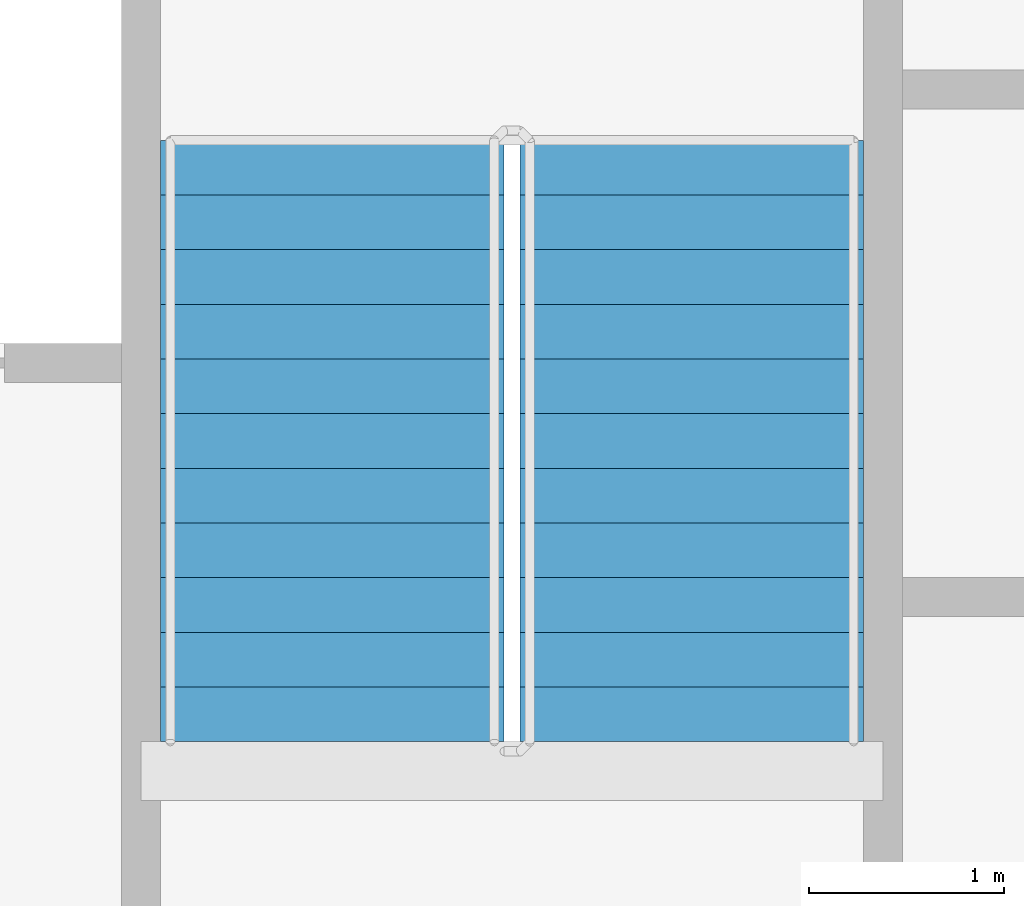
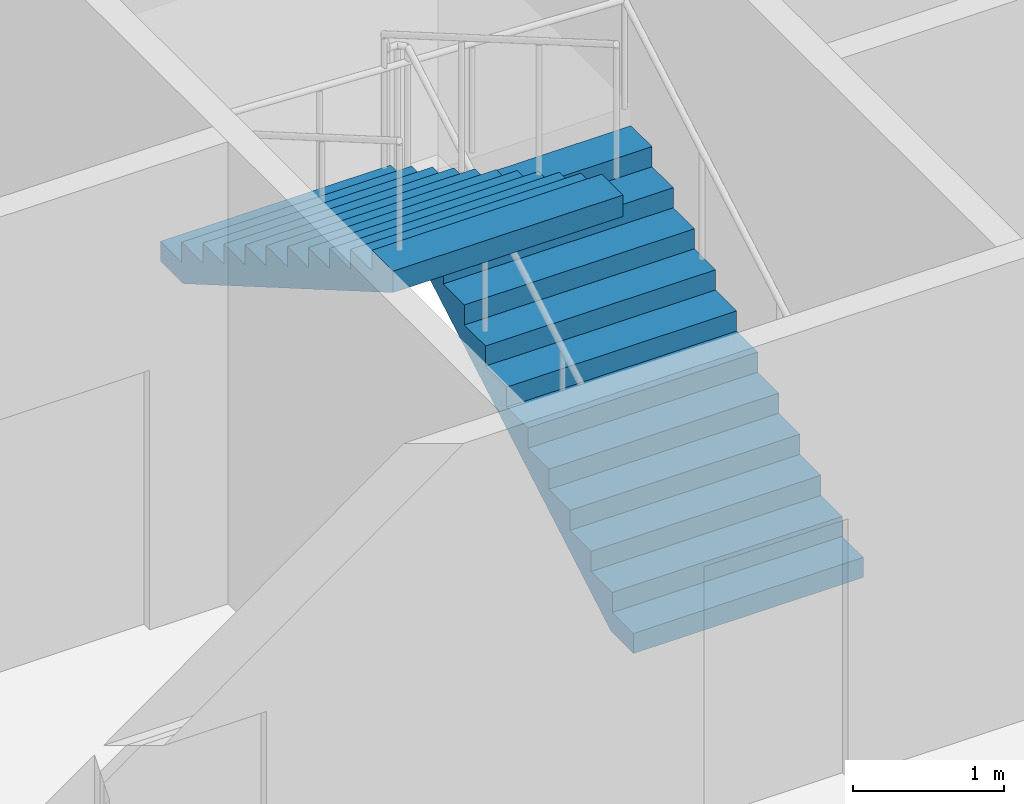
# One storey, part 9 of 14: 2 stair flights, 1 element without a shape of its own.
"""IFC4 building model written with IfcOpenShell, lengths in metres."""

from ifc_helpers import new_model, si_unit, direction, frame, origin, place, context, subcontext, project, spatial, faceted_brep, material, type_object, element, aggregate, save


model = new_model("IFC4")

# Units and contexts
model_context = context("Model", 3, precision=1e-05, world=origin(), true_north=direction((0.0, 1.0)))
body_context = subcontext(model_context, "Body", "Model", "MODEL_VIEW")
ifc_project = project(units=[si_unit("LENGTHUNIT", "METRE"), si_unit("AREAUNIT", "SQUARE_METRE"), si_unit("VOLUMEUNIT", "CUBIC_METRE"), si_unit("PLANEANGLEUNIT", "RADIAN"), si_unit("MASSUNIT", "GRAM", prefix="KILO")], contexts=[model_context])

# Site, building, storey
site_placement = place(None, origin())
site = spatial("IfcSite", under=ifc_project, at=site_placement, CompositionType="ELEMENT")
building_placement = place(site_placement, origin())
building = spatial("IfcBuilding", under=site, at=building_placement, Name="Tarsis Ring Headquarters", CompositionType="ELEMENT")
storey_placement = place(building_placement, frame((0.0, 0.0, 235.5)))
storey = spatial("IfcBuildingStorey", under=building, at=storey_placement, Name="L55", CompositionType="ELEMENT", Elevation=235.5)

# Stair, stair flights
ifc_material_1 = material(Name="Core stair 1760")
stair_type = type_object("IfcStairType", Name="Core stair 1760", PredefinedType="HALF_TURN_STAIR", material=ifc_material_1)
stair_placement = place(storey_placement, origin())
stair = element("IfcStair", 1, at=stair_placement, inside=storey, type_object=stair_type, Name="L55 Exit stair B", PredefinedType="HALF_TURN_STAIR")
ifc_material_2 = material(Name="Concrete C40/50", Category="concrete")
stair_flight_type = type_object("IfcStairFlightType", Name="Core stair flight 1760", PredefinedType="STRAIGHT", material=ifc_material_2)
stair_flight_1_placement = place(storey_placement, frame((5.419921875, 3.659912109375, 0.0), z_axis=(0.0, 0.0, 1.0), x_axis=(0.0, 1.0, 0.0)))
stair_flight_1 = element("IfcStairFlight", 2, at=stair_flight_1_placement, type_object=stair_flight_type, Name="Stair ST2 flight 1", NumberOfRisers=12, NumberOfTreads=11, PredefinedType="STRAIGHT", RiserHeight=0.1625, TreadLength=0.28, context=body_context, shape_type="Brep", body=[
    faceted_brep([(0.0, 0.8798828125, 0.0), (0.0, 0.8798828125, 0.16259765625), (0.280029296875, 0.8798828125, 0.16259765625), (0.280029296875, 0.8798828125, 0.324951171875), (0.56005859375, 0.8798828125, 0.324951171875), (0.56005859375, 0.8798828125, 0.487548828125), (0.840087890625, 0.8798828125, 0.487548828125), (0.840087890625, 0.8798828125, 0.64990234375), (1.1201171875, 0.8798828125, 0.64990234375), (1.1201171875, 0.8798828125, 0.8125), (1.39990234375, 0.8798828125, 0.8125), (1.39990234375, 0.8798828125, 0.97509765625), (1.679931640625, 0.8798828125, 0.97509765625), (1.679931640625, 0.8798828125, 1.137451171875), (1.9599609375, 0.8798828125, 1.137451171875), (1.9599609375, 0.8798828125, 1.300048828125), (2.239990234375, 0.8798828125, 1.300048828125), (2.239990234375, 0.8798828125, 1.46240234375), (2.52001953125, 0.8798828125, 1.46240234375), (2.52001953125, 0.8798828125, 1.625), (2.800048828125, 0.8798828125, 1.625), (2.800048828125, 0.8798828125, 1.78759765625), (3.080078125, 0.8798828125, 1.78759765625), (3.080078125, 0.8798828125, 1.6142578125), (0.298583984375, 0.8798828125, 0.0), (0.298583984375, -0.8798828125, 0.0), (3.080078125, -0.8798828125, 1.6142578125), (3.080078125, -0.8798828125, 1.78759765625), (2.800048828125, -0.8798828125, 1.78759765625), (2.800048828125, -0.8798828125, 1.625), (2.52001953125, -0.8798828125, 1.625), (2.52001953125, -0.8798828125, 1.46240234375), (2.239990234375, -0.8798828125, 1.46240234375), (2.239990234375, -0.8798828125, 1.300048828125), (1.9599609375, -0.8798828125, 1.300048828125), (1.9599609375, -0.8798828125, 1.137451171875), (1.679931640625, -0.8798828125, 1.137451171875), (1.679931640625, -0.8798828125, 0.97509765625), (1.39990234375, -0.8798828125, 0.97509765625), (1.39990234375, -0.8798828125, 0.8125), (1.1201171875, -0.8798828125, 0.8125), (1.1201171875, -0.8798828125, 0.64990234375), (0.840087890625, -0.8798828125, 0.64990234375), (0.840087890625, -0.8798828125, 0.487548828125), (0.56005859375, -0.8798828125, 0.487548828125), (0.56005859375, -0.8798828125, 0.324951171875), (0.280029296875, -0.8798828125, 0.324951171875), (0.280029296875, -0.8798828125, 0.16259765625), (0.0, -0.8798828125, 0.16259765625), (0.0, -0.8798828125, 0.0), (0.0, -0.43994140625, 0.16259765625), (0.0, -0.43994140625, 0.0), (0.0, 0.0, 0.16259765625), (0.0, 0.0, 0.0), (0.0, 0.43994140625, 0.16259765625), (0.0, 0.43994140625, 0.0), (0.280029296875, -0.43994140625, 0.16259765625), (0.280029296875, 0.0, 0.16259765625), (0.280029296875, 0.43994140625, 0.16259765625), (0.280029296875, -0.43994140625, 0.324951171875), (0.280029296875, 0.0, 0.324951171875), (0.280029296875, 0.43994140625, 0.324951171875), (0.56005859375, -0.43994140625, 0.324951171875), (0.56005859375, 0.0, 0.324951171875), (0.56005859375, 0.43994140625, 0.324951171875), (0.56005859375, -0.43994140625, 0.487548828125), (0.56005859375, 0.0, 0.487548828125), (0.56005859375, 0.43994140625, 0.487548828125), (0.840087890625, -0.43994140625, 0.487548828125), (0.840087890625, 0.0, 0.487548828125), (0.840087890625, 0.43994140625, 0.487548828125), (0.840087890625, -0.43994140625, 0.64990234375), (0.840087890625, 0.0, 0.64990234375), (0.840087890625, 0.43994140625, 0.64990234375), (1.1201171875, -0.43994140625, 0.64990234375), (1.1201171875, 0.0, 0.64990234375), (1.1201171875, 0.43994140625, 0.64990234375), (1.1201171875, -0.43994140625, 0.8125), (1.1201171875, 0.0, 0.8125), (1.1201171875, 0.43994140625, 0.8125), (1.39990234375, -0.43994140625, 0.8125), (1.39990234375, 0.0, 0.8125), (1.39990234375, 0.43994140625, 0.8125), (1.39990234375, -0.43994140625, 0.97509765625), (1.39990234375, 0.0, 0.97509765625), (1.39990234375, 0.43994140625, 0.97509765625), (1.679931640625, -0.43994140625, 0.97509765625), (1.679931640625, 0.0, 0.97509765625), (1.679931640625, 0.43994140625, 0.97509765625), (1.679931640625, -0.43994140625, 1.137451171875), (1.679931640625, 0.0, 1.137451171875), (1.679931640625, 0.43994140625, 1.137451171875), (1.9599609375, -0.43994140625, 1.137451171875), (1.9599609375, 0.0, 1.137451171875), (1.9599609375, 0.43994140625, 1.137451171875), (1.9599609375, -0.43994140625, 1.300048828125), (1.9599609375, 0.0, 1.300048828125), (1.9599609375, 0.43994140625, 1.300048828125), (2.239990234375, -0.43994140625, 1.300048828125), (2.239990234375, 0.0, 1.300048828125), (2.239990234375, 0.43994140625, 1.300048828125), (2.239990234375, -0.43994140625, 1.46240234375), (2.239990234375, 0.0, 1.46240234375), (2.239990234375, 0.43994140625, 1.46240234375), (2.52001953125, -0.43994140625, 1.46240234375), (2.52001953125, 0.0, 1.46240234375), (2.52001953125, 0.43994140625, 1.46240234375), (2.52001953125, -0.43994140625, 1.625), (2.52001953125, 0.0, 1.625), (2.52001953125, 0.43994140625, 1.625), (2.800048828125, -0.43994140625, 1.625), (2.800048828125, 0.0, 1.625), (2.800048828125, 0.43994140625, 1.625), (2.800048828125, -0.43994140625, 1.78759765625), (2.800048828125, 0.0, 1.78759765625), (2.800048828125, 0.43994140625, 1.78759765625), (3.080078125, -0.43994140625, 1.78759765625), (3.080078125, 0.0, 1.78759765625), (3.080078125, 0.43994140625, 1.78759765625), (3.080078125, -0.43994140625, 1.6142578125), (3.080078125, 0.0, 1.6142578125), (3.080078125, 0.43994140625, 1.6142578125), (0.298583984375, -0.43994140625, 0.0), (0.298583984375, 0.0, 0.0), (0.298583984375, 0.43994140625, 0.0)], [[[0, 1, 2, 3, 4, 5, 6, 7, 8, 9, 10, 11, 12, 13, 14, 15, 16, 17, 18, 19, 20, 21, 22, 23, 24]], [[25, 26, 27, 28, 29, 30, 31, 32, 33, 34, 35, 36, 37, 38, 39, 40, 41, 42, 43, 44, 45, 46, 47, 48, 49]], [[49, 48, 50, 51]], [[51, 50, 52, 53]], [[53, 52, 54, 55]], [[55, 54, 1, 0]], [[48, 47, 56, 50]], [[50, 56, 57, 52]], [[52, 57, 58, 54]], [[54, 58, 2, 1]], [[47, 46, 59, 56]], [[56, 59, 60, 57]], [[57, 60, 61, 58]], [[58, 61, 3, 2]], [[46, 45, 62, 59]], [[59, 62, 63, 60]], [[60, 63, 64, 61]], [[61, 64, 4, 3]], [[45, 44, 65, 62]], [[62, 65, 66, 63]], [[63, 66, 67, 64]], [[64, 67, 5, 4]], [[44, 43, 68, 65]], [[65, 68, 69, 66]], [[66, 69, 70, 67]], [[67, 70, 6, 5]], [[43, 42, 71, 68]], [[68, 71, 72, 69]], [[69, 72, 73, 70]], [[70, 73, 7, 6]], [[42, 41, 74, 71]], [[71, 74, 75, 72]], [[72, 75, 76, 73]], [[73, 76, 8, 7]], [[41, 40, 77, 74]], [[74, 77, 78, 75]], [[75, 78, 79, 76]], [[76, 79, 9, 8]], [[40, 39, 80, 77]], [[77, 80, 81, 78]], [[78, 81, 82, 79]], [[79, 82, 10, 9]], [[39, 38, 83, 80]], [[80, 83, 84, 81]], [[81, 84, 85, 82]], [[82, 85, 11, 10]], [[38, 37, 86, 83]], [[83, 86, 87, 84]], [[84, 87, 88, 85]], [[85, 88, 12, 11]], [[37, 36, 89, 86]], [[86, 89, 90, 87]], [[87, 90, 91, 88]], [[88, 91, 13, 12]], [[36, 35, 92, 89]], [[89, 92, 93, 90]], [[90, 93, 94, 91]], [[91, 94, 14, 13]], [[35, 34, 95, 92]], [[92, 95, 96, 93]], [[93, 96, 97, 94]], [[94, 97, 15, 14]], [[34, 33, 98, 95]], [[95, 98, 99, 96]], [[96, 99, 100, 97]], [[97, 100, 16, 15]], [[33, 32, 101, 98]], [[98, 101, 102, 99]], [[99, 102, 103, 100]], [[100, 103, 17, 16]], [[32, 31, 104, 101]], [[101, 104, 105, 102]], [[102, 105, 106, 103]], [[103, 106, 18, 17]], [[31, 30, 107, 104]], [[104, 107, 108, 105]], [[105, 108, 109, 106]], [[106, 109, 19, 18]], [[30, 29, 110, 107]], [[107, 110, 111, 108]], [[108, 111, 112, 109]], [[109, 112, 20, 19]], [[29, 28, 113, 110]], [[110, 113, 114, 111]], [[111, 114, 115, 112]], [[112, 115, 21, 20]], [[28, 27, 116, 113]], [[113, 116, 117, 114]], [[114, 117, 118, 115]], [[115, 118, 22, 21]], [[27, 26, 119, 116]], [[116, 119, 120, 117]], [[117, 120, 121, 118]], [[118, 121, 23, 22]], [[26, 25, 122, 119]], [[119, 122, 123, 120]], [[120, 123, 124, 121]], [[121, 124, 24, 23]], [[25, 49, 51, 122]], [[122, 51, 53, 123]], [[123, 53, 55, 124]], [[124, 55, 0, 24]]]),
])
stair_flight_2_placement = place(storey_placement, frame((3.580078125, 6.739990234375, 1.949951171875), z_axis=(0.0, 0.0, 1.0), x_axis=(0.0, -1.0, 0.0)))
stair_flight_2 = element("IfcStairFlight", 3, at=stair_flight_2_placement, type_object=stair_flight_type, Name="Stair ST2 flight 2", NumberOfRisers=12, NumberOfTreads=11, PredefinedType="STRAIGHT", RiserHeight=0.1625, TreadLength=0.28, context=body_context, shape_type="Brep", body=[
    faceted_brep([(0.0, 0.8798828125, 0.0), (0.0, 0.8798828125, 0.16259765625), (0.280029296875, 0.8798828125, 0.16259765625), (0.280029296875, 0.8798828125, 0.324951171875), (0.56005859375, 0.8798828125, 0.324951171875), (0.56005859375, 0.8798828125, 0.487548828125), (0.840087890625, 0.8798828125, 0.487548828125), (0.840087890625, 0.8798828125, 0.64990234375), (1.1201171875, 0.8798828125, 0.64990234375), (1.1201171875, 0.8798828125, 0.8125), (1.39990234375, 0.8798828125, 0.8125), (1.39990234375, 0.8798828125, 0.97509765625), (1.679931640625, 0.8798828125, 0.97509765625), (1.679931640625, 0.8798828125, 1.137451171875), (1.9599609375, 0.8798828125, 1.137451171875), (1.9599609375, 0.8798828125, 1.300048828125), (2.239990234375, 0.8798828125, 1.300048828125), (2.239990234375, 0.8798828125, 1.46240234375), (2.52001953125, 0.8798828125, 1.46240234375), (2.52001953125, 0.8798828125, 1.625), (2.800048828125, 0.8798828125, 1.625), (2.800048828125, 0.8798828125, 1.78759765625), (3.080078125, 0.8798828125, 1.78759765625), (3.080078125, 0.8798828125, 1.6142578125), (0.298583984375, 0.8798828125, 0.0), (0.298583984375, -0.8798828125, 0.0), (3.080078125, -0.8798828125, 1.6142578125), (3.080078125, -0.8798828125, 1.78759765625), (2.800048828125, -0.8798828125, 1.78759765625), (2.800048828125, -0.8798828125, 1.625), (2.52001953125, -0.8798828125, 1.625), (2.52001953125, -0.8798828125, 1.46240234375), (2.239990234375, -0.8798828125, 1.46240234375), (2.239990234375, -0.8798828125, 1.300048828125), (1.9599609375, -0.8798828125, 1.300048828125), (1.9599609375, -0.8798828125, 1.137451171875), (1.679931640625, -0.8798828125, 1.137451171875), (1.679931640625, -0.8798828125, 0.97509765625), (1.39990234375, -0.8798828125, 0.97509765625), (1.39990234375, -0.8798828125, 0.8125), (1.1201171875, -0.8798828125, 0.8125), (1.1201171875, -0.8798828125, 0.64990234375), (0.840087890625, -0.8798828125, 0.64990234375), (0.840087890625, -0.8798828125, 0.487548828125), (0.56005859375, -0.8798828125, 0.487548828125), (0.56005859375, -0.8798828125, 0.324951171875), (0.280029296875, -0.8798828125, 0.324951171875), (0.280029296875, -0.8798828125, 0.16259765625), (0.0, -0.8798828125, 0.16259765625), (0.0, -0.8798828125, 0.0), (0.0, -0.43994140625, 0.16259765625), (0.0, -0.43994140625, 0.0), (0.0, 0.0, 0.16259765625), (0.0, 0.0, 0.0), (0.0, 0.43994140625, 0.16259765625), (0.0, 0.43994140625, 0.0), (0.280029296875, -0.43994140625, 0.16259765625), (0.280029296875, 0.0, 0.16259765625), (0.280029296875, 0.43994140625, 0.16259765625), (0.280029296875, -0.43994140625, 0.324951171875), (0.280029296875, 0.0, 0.324951171875), (0.280029296875, 0.43994140625, 0.324951171875), (0.56005859375, -0.43994140625, 0.324951171875), (0.56005859375, 0.0, 0.324951171875), (0.56005859375, 0.43994140625, 0.324951171875), (0.56005859375, -0.43994140625, 0.487548828125), (0.56005859375, 0.0, 0.487548828125), (0.56005859375, 0.43994140625, 0.487548828125), (0.840087890625, -0.43994140625, 0.487548828125), (0.840087890625, 0.0, 0.487548828125), (0.840087890625, 0.43994140625, 0.487548828125), (0.840087890625, -0.43994140625, 0.64990234375), (0.840087890625, 0.0, 0.64990234375), (0.840087890625, 0.43994140625, 0.64990234375), (1.1201171875, -0.43994140625, 0.64990234375), (1.1201171875, 0.0, 0.64990234375), (1.1201171875, 0.43994140625, 0.64990234375), (1.1201171875, -0.43994140625, 0.8125), (1.1201171875, 0.0, 0.8125), (1.1201171875, 0.43994140625, 0.8125), (1.39990234375, -0.43994140625, 0.8125), (1.39990234375, 0.0, 0.8125), (1.39990234375, 0.43994140625, 0.8125), (1.39990234375, -0.43994140625, 0.97509765625), (1.39990234375, 0.0, 0.97509765625), (1.39990234375, 0.43994140625, 0.97509765625), (1.679931640625, -0.43994140625, 0.97509765625), (1.679931640625, 0.0, 0.97509765625), (1.679931640625, 0.43994140625, 0.97509765625), (1.679931640625, -0.43994140625, 1.137451171875), (1.679931640625, 0.0, 1.137451171875), (1.679931640625, 0.43994140625, 1.137451171875), (1.9599609375, -0.43994140625, 1.137451171875), (1.9599609375, 0.0, 1.137451171875), (1.9599609375, 0.43994140625, 1.137451171875), (1.9599609375, -0.43994140625, 1.300048828125), (1.9599609375, 0.0, 1.300048828125), (1.9599609375, 0.43994140625, 1.300048828125), (2.239990234375, -0.43994140625, 1.300048828125), (2.239990234375, 0.0, 1.300048828125), (2.239990234375, 0.43994140625, 1.300048828125), (2.239990234375, -0.43994140625, 1.46240234375), (2.239990234375, 0.0, 1.46240234375), (2.239990234375, 0.43994140625, 1.46240234375), (2.52001953125, -0.43994140625, 1.46240234375), (2.52001953125, 0.0, 1.46240234375), (2.52001953125, 0.43994140625, 1.46240234375), (2.52001953125, -0.43994140625, 1.625), (2.52001953125, 0.0, 1.625), (2.52001953125, 0.43994140625, 1.625), (2.800048828125, -0.43994140625, 1.625), (2.800048828125, 0.0, 1.625), (2.800048828125, 0.43994140625, 1.625), (2.800048828125, -0.43994140625, 1.78759765625), (2.800048828125, 0.0, 1.78759765625), (2.800048828125, 0.43994140625, 1.78759765625), (3.080078125, -0.43994140625, 1.78759765625), (3.080078125, 0.0, 1.78759765625), (3.080078125, 0.43994140625, 1.78759765625), (3.080078125, -0.43994140625, 1.6142578125), (3.080078125, 0.0, 1.6142578125), (3.080078125, 0.43994140625, 1.6142578125), (0.298583984375, -0.43994140625, 0.0), (0.298583984375, 0.0, 0.0), (0.298583984375, 0.43994140625, 0.0)], [[[0, 1, 2, 3, 4, 5, 6, 7, 8, 9, 10, 11, 12, 13, 14, 15, 16, 17, 18, 19, 20, 21, 22, 23, 24]], [[25, 26, 27, 28, 29, 30, 31, 32, 33, 34, 35, 36, 37, 38, 39, 40, 41, 42, 43, 44, 45, 46, 47, 48, 49]], [[49, 48, 50, 51]], [[51, 50, 52, 53]], [[53, 52, 54, 55]], [[55, 54, 1, 0]], [[48, 47, 56, 50]], [[50, 56, 57, 52]], [[52, 57, 58, 54]], [[54, 58, 2, 1]], [[47, 46, 59, 56]], [[56, 59, 60, 57]], [[57, 60, 61, 58]], [[58, 61, 3, 2]], [[46, 45, 62, 59]], [[59, 62, 63, 60]], [[60, 63, 64, 61]], [[61, 64, 4, 3]], [[45, 44, 65, 62]], [[62, 65, 66, 63]], [[63, 66, 67, 64]], [[64, 67, 5, 4]], [[44, 43, 68, 65]], [[65, 68, 69, 66]], [[66, 69, 70, 67]], [[67, 70, 6, 5]], [[43, 42, 71, 68]], [[68, 71, 72, 69]], [[69, 72, 73, 70]], [[70, 73, 7, 6]], [[42, 41, 74, 71]], [[71, 74, 75, 72]], [[72, 75, 76, 73]], [[73, 76, 8, 7]], [[41, 40, 77, 74]], [[74, 77, 78, 75]], [[75, 78, 79, 76]], [[76, 79, 9, 8]], [[40, 39, 80, 77]], [[77, 80, 81, 78]], [[78, 81, 82, 79]], [[79, 82, 10, 9]], [[39, 38, 83, 80]], [[80, 83, 84, 81]], [[81, 84, 85, 82]], [[82, 85, 11, 10]], [[38, 37, 86, 83]], [[83, 86, 87, 84]], [[84, 87, 88, 85]], [[85, 88, 12, 11]], [[37, 36, 89, 86]], [[86, 89, 90, 87]], [[87, 90, 91, 88]], [[88, 91, 13, 12]], [[36, 35, 92, 89]], [[89, 92, 93, 90]], [[90, 93, 94, 91]], [[91, 94, 14, 13]], [[35, 34, 95, 92]], [[92, 95, 96, 93]], [[93, 96, 97, 94]], [[94, 97, 15, 14]], [[34, 33, 98, 95]], [[95, 98, 99, 96]], [[96, 99, 100, 97]], [[97, 100, 16, 15]], [[33, 32, 101, 98]], [[98, 101, 102, 99]], [[99, 102, 103, 100]], [[100, 103, 17, 16]], [[32, 31, 104, 101]], [[101, 104, 105, 102]], [[102, 105, 106, 103]], [[103, 106, 18, 17]], [[31, 30, 107, 104]], [[104, 107, 108, 105]], [[105, 108, 109, 106]], [[106, 109, 19, 18]], [[30, 29, 110, 107]], [[107, 110, 111, 108]], [[108, 111, 112, 109]], [[109, 112, 20, 19]], [[29, 28, 113, 110]], [[110, 113, 114, 111]], [[111, 114, 115, 112]], [[112, 115, 21, 20]], [[28, 27, 116, 113]], [[113, 116, 117, 114]], [[114, 117, 118, 115]], [[115, 118, 22, 21]], [[27, 26, 119, 116]], [[116, 119, 120, 117]], [[117, 120, 121, 118]], [[118, 121, 23, 22]], [[26, 25, 122, 119]], [[119, 122, 123, 120]], [[120, 123, 124, 121]], [[121, 124, 24, 23]], [[25, 49, 51, 122]], [[122, 51, 53, 123]], [[123, 53, 55, 124]], [[124, 55, 0, 24]]]),
])
aggregate(stair, [stair_flight_1, stair_flight_2])

save(model, "model.ifc")
